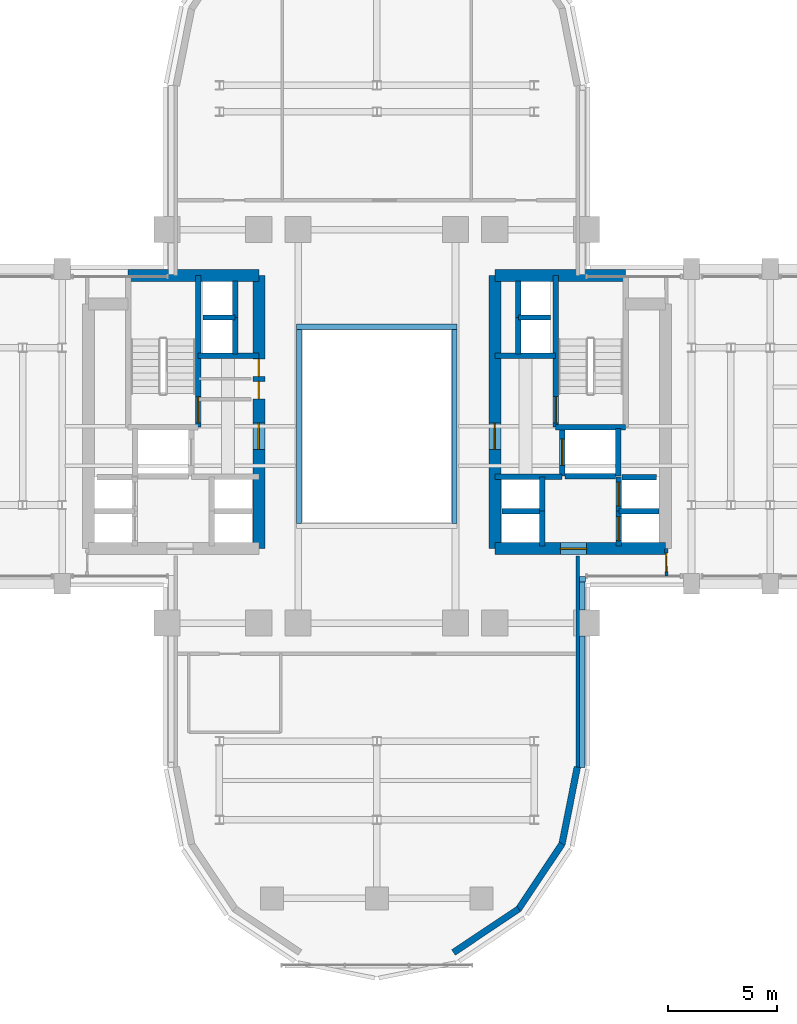
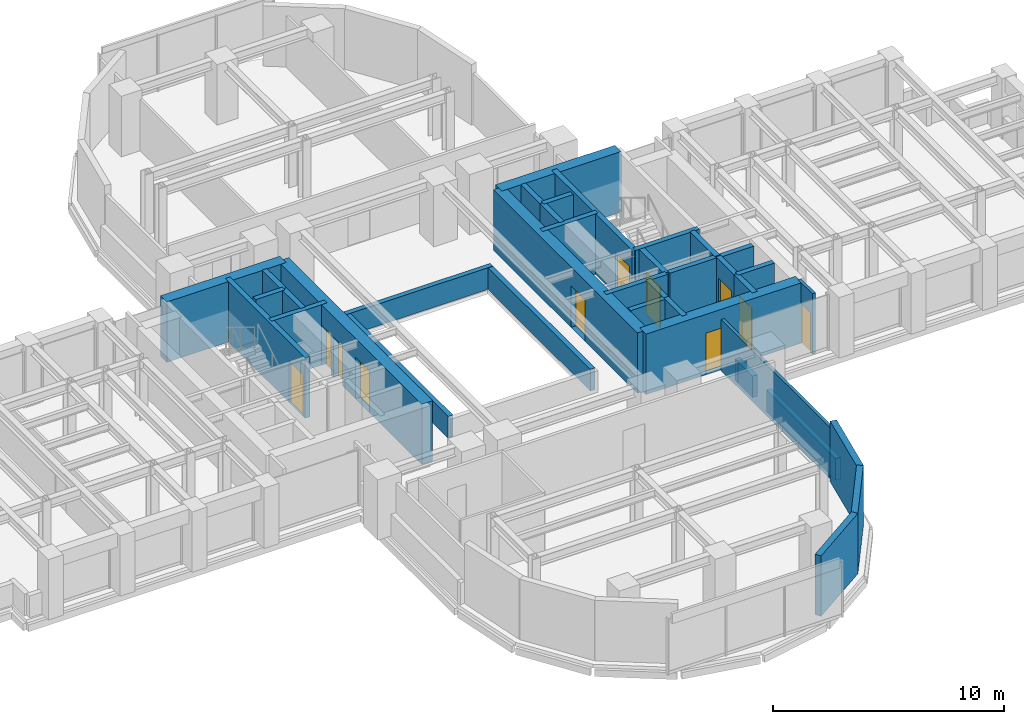
# One storey, part 11 of 15: 38 walls, 11 doors, 11 openings.
"""IFC4 building model written with IfcOpenShell, lengths in metres."""

from ifc_helpers import new_model, si_unit, direction, frame, frame_2d, origin, place, context, subcontext, project, spatial, rectangle, extrude, source, transform, mapped, material, layer, layer_set, type_object, element, fill, save


model = new_model("IFC4")

# Units and contexts
model_context = context("Model", 3, precision=1e-05, world=origin(), true_north=direction((0.0, 1.0)))
body_context = subcontext(model_context, "Body", "Model", "MODEL_VIEW")
ifc_project = project(units=[si_unit("LENGTHUNIT", "METRE"), si_unit("AREAUNIT", "SQUARE_METRE"), si_unit("VOLUMEUNIT", "CUBIC_METRE"), si_unit("PLANEANGLEUNIT", "RADIAN"), si_unit("MASSUNIT", "GRAM", prefix="KILO")], contexts=[model_context])

# Site, building, storey
site_placement = place(None, origin())
site = spatial("IfcSite", under=ifc_project, at=site_placement, CompositionType="ELEMENT")
building_placement = place(site_placement, origin())
building = spatial("IfcBuilding", under=site, at=building_placement, Name="Keilestroom Media Tower", CompositionType="ELEMENT")
storey_placement = place(building_placement, frame((0.0, 0.0, 47.60009765625)))
storey = spatial("IfcBuildingStorey", under=building, at=storey_placement, Name="L11", CompositionType="ELEMENT", Elevation=47.60009765625)

# Walls
ifc_material_1 = material(Name="Precast concrete C40/50", Category="concrete")
ifc_layer_1 = layer(ifc_material_1, 0.300048828125)
ifc_layer_set_1 = layer_set([ifc_layer_1], Name="Precast concrete C40/50")
wall_type_1 = type_object("IfcWallType", Name="Exterior-Masonry-Spandrel-Wall-300", PredefinedType="SOLIDWALL", material=ifc_layer_set_1)
wall_1_placement = place(storey_placement, frame((3.510009765625, -24.073486328125, 0.0), z_axis=(0.0, 0.0, 1.0), x_axis=(0.8314749531, 0.555562239868, 0.0)))
element("IfcWall", 1, at=wall_1_placement, inside=storey, type_object=wall_type_1, Name="L11 Lobe Facet Precast Frame Wall 10", PredefinedType="SOLIDWALL", context=body_context, shape_type="SweptSolid", body=[
    extrude(rectangle(XDim=3.59326171875, YDim=0.300048828125, at=frame_2d((1.796630859375, 0.0))), origin(), (0.0, 0.0, 1.0), 3.199951171875),
])
for number, where, z_axis, x_axis, name in (
    (2, (6.47705078125, -22.097900390625, 0.0), (0.0, 0.0, 1.0), (0.555574187116, 0.831466970246, 0.0), "L11 Lobe Facet Precast Frame Wall 11"),
    (3, (8.470703125, -19.12451171875, 0.0), (0.0, 0.0, 1.0), (0.195114232679, 0.980780523974, 0.0), "L11 Lobe Facet Precast Frame Wall 12"),
):
    element("IfcWall", number, at=place(storey_placement, frame(where, z_axis=z_axis, x_axis=x_axis)), inside=storey, type_object=wall_type_1, Name=name, PredefinedType="SOLIDWALL", context=body_context, shape_type="SweptSolid", body=[
        extrude(rectangle(XDim=3.608642578125, YDim=0.300048828125, at=frame_2d((1.80419921875, 0.0))), origin(), (0.0, 0.0, 1.0), 3.199951171875),
    ])
ifc_material_2 = material(Name="Gypsum Plasterboard & Steel Stud", Category="steel")
ifc_layer_2 = layer(ifc_material_2, 0.14990234375)
ifc_layer_set_2 = layer_set([ifc_layer_2], Name="Gypsum Plasterboard & Steel Stud")
wall_type_2 = type_object("IfcWallType", Name="Interior-Partition-Wall-150", PredefinedType="PARTITIONING", material=ifc_layer_set_2)
wall_2_placement = place(storey_placement, frame((9.199951171875, -15.679931640625, 0.0), z_axis=(0.0, 0.0, 1.0), x_axis=(0.0, 1.0, 0.0)))
element("IfcWall", 4, at=wall_2_placement, inside=storey, type_object=wall_type_2, Name="L11 Interior Wall WP-L11-SL-CHKE", PredefinedType="PARTITIONING", context=body_context, shape_type="SweptSolid", body=[
    extrude(rectangle(XDim=9.739990234375, YDim=0.14990234375, at=frame_2d((4.8701171875, 0.0))), origin(), (0.0, 0.0, 1.0), 2.7099609375),
])

# Wall, opening, door
wall_3_placement = place(storey_placement, frame((13.260009765625, -6.85009765625, 0.0), z_axis=(0.0, 0.0, 1.0), x_axis=(-0.016013571389, 0.999871774545, 0.0)))
wall_3 = element("IfcWall", 5, at=wall_3_placement, inside=storey, type_object=wall_type_2, Name="L11 Interior Wall WP-L11-EA-ENTS", PredefinedType="PARTITIONING", context=body_context, shape_type="SweptSolid", body=[
    extrude(rectangle(XDim=1.250244140625, YDim=0.14990234375, at=frame_2d((0.625, 0.0))), origin(), (0.0, 0.0, 1.0), 3.199951171875),
])
opening_1_placement = place(wall_3_placement, frame((0.199951171875, 0.0, 0.0)))
opening_1 = element("IfcOpeningElement", 6, at=opening_1_placement, cuts=wall_3, Name="Opening DI-05", PredefinedType="OPENING", context=body_context, shape_type="SweptSolid", body=[
    extrude(rectangle(XDim=0.85009765625, YDim=2.10009765625, at=frame_2d((0.425048828125, 1.050048828125))), frame((0.0, 0.0849609375, 0.0), z_axis=(0.0, -1.0, 0.0), x_axis=(1.0, 0.0, 0.0)), (0.0, 0.0, 1.0), 0.169921875),
])
ifc_material_3 = material(Name="Moisture-Resistant Oak Leaf", Category="wood")
door_type_1 = type_object("IfcDoorType", Name="Interior-En-Suite-And-Cupboard-Door-DI-05", OperationType="NOTDEFINED", PredefinedType="DOOR", material=ifc_material_3)
shared_shape_1 = source(origin(), body_context, "Body", "SweptSolid", [
    extrude(rectangle(XDim=0.85009765625, YDim=2.10009765625, at=frame_2d((0.425048828125, 1.050048828125))), frame((0.0, 0.02490234375, 0.0), z_axis=(0.0, -1.0, 0.0), x_axis=(1.0, 0.0, 0.0)), (0.0, 0.0, 1.0), 0.050048828125),
])
door_1_placement = place(opening_1_placement, origin())
door_1 = element("IfcDoor", 7, at=door_1_placement, inside=storey, type_object=door_type_1, Name="L11 Interior Door DI-L11-DEA-S", OperationType="SINGLE_SWING_RIGHT", OverallHeight=2.10009765625, OverallWidth=0.85009765625, PredefinedType="DOOR", context=body_context, shape_type="MappedRepresentation", body=[
    mapped(shared_shape_1, transform((0.0, 0.0, 0.0), x_axis=(1.0, 0.0, 0.0), y_axis=(0.0, 1.0, 0.0), z_axis=(0.0, 0.0, 1.0), scale=1.0)),
])
fill(opening_1, door_1)

# Wall, openings, doors
ifc_material_4 = material(Name="Concrete C70/85", Category="concrete")
ifc_layer_3 = layer(ifc_material_4, 0.550048828125)
ifc_layer_set_3 = layer_set([ifc_layer_3], Name="Concrete C70/85")
wall_type_3 = type_object("IfcWallType", Name="Reinforced-Concrete-Core-Shear-Wall-550", PredefinedType="SHEAR", material=ifc_layer_set_3)
wall_4_placement = place(storey_placement, frame((-5.39990234375, -5.60009765625, 0.0), z_axis=(0.0, 0.0, 1.0), x_axis=(0.0, 1.0, 0.0)))
wall_4 = element("IfcWall", 8, at=wall_4_placement, inside=storey, type_object=wall_type_3, Name="L11 Core Shear Wall WL-L11-CORE-W-IN", PredefinedType="SHEAR", context=body_context, shape_type="SweptSolid", body=[
    extrude(rectangle(XDim=12.5, YDim=0.550048828125, at=frame_2d((6.25, 0.0))), origin(), (0.0, 0.0, 1.0), 3.199951171875),
])
opening_2_placement = place(wall_4_placement, frame((4.550048828125, 0.0, 0.0)))
opening_2 = element("IfcOpeningElement", 9, at=opening_2_placement, cuts=wall_4, Name="Opening DI-02", PredefinedType="OPENING", context=body_context, shape_type="SweptSolid", body=[
    extrude(rectangle(XDim=1.199951171875, YDim=2.199951171875, at=frame_2d((0.60009765625, 1.10009765625))), frame((0.0, 0.28515625, 0.0), z_axis=(0.0, -1.0, 0.0), x_axis=(1.0, 0.0, 0.0)), (0.0, 0.0, 1.0), 0.570068359375),
])
opening_3_placement = place(wall_4_placement, frame((6.860107421875, 0.0, 0.0)))
opening_3 = element("IfcOpeningElement", 10, at=opening_3_placement, cuts=wall_4, Name="Opening DI-06", PredefinedType="OPENING", context=body_context, shape_type="SweptSolid", body=[
    extrude(rectangle(XDim=0.800048828125, YDim=2.10009765625, at=frame_2d((0.39990234375, 1.050048828125))), frame((0.0, 0.28515625, 0.0), z_axis=(0.0, -1.0, 0.0), x_axis=(1.0, 0.0, 0.0)), (0.0, 0.0, 1.0), 0.570068359375),
])
opening_4_placement = place(wall_4_placement, frame((7.8798828125, 0.0, 0.0)))
opening_4 = element("IfcOpeningElement", 11, at=opening_4_placement, cuts=wall_4, Name="Opening DI-06", PredefinedType="OPENING", context=body_context, shape_type="SweptSolid", body=[
    extrude(rectangle(XDim=0.800048828125, YDim=2.10009765625, at=frame_2d((0.39990234375, 1.050048828125))), frame((0.0, 0.28515625, 0.0), z_axis=(0.0, -1.0, 0.0), x_axis=(1.0, 0.0, 0.0)), (0.0, 0.0, 1.0), 0.570068359375),
])
ifc_material_5 = material(Name="Powder-Coated Steel Fire Leaf", Category="steel")
door_type_2 = type_object("IfcDoorType", Name="Interior-Compartment-Fire-Door-DI-02", OperationType="NOTDEFINED", PredefinedType="DOOR", material=ifc_material_5)
shared_shape_2 = source(origin(), body_context, "Body", "SweptSolid", [
    extrude(rectangle(XDim=1.199951171875, YDim=2.199951171875, at=frame_2d((0.60009765625, 1.10009765625))), frame((0.0, 0.02490234375, 0.0), z_axis=(0.0, -1.0, 0.0), x_axis=(1.0, 0.0, 0.0)), (0.0, 0.0, 1.0), 0.050048828125),
])
door_2_placement = place(opening_2_placement, origin())
door_2 = element("IfcDoor", 12, at=door_2_placement, inside=storey, type_object=door_type_2, Name="L11 W Firefighting Lobby Door", OperationType="SINGLE_SWING_RIGHT", OverallHeight=2.199951171875, OverallWidth=1.199951171875, PredefinedType="DOOR", context=body_context, shape_type="MappedRepresentation", body=[
    mapped(shared_shape_2, transform((0.0, 0.0, 0.0), x_axis=(1.0, 0.0, 0.0), y_axis=(0.0, 1.0, 0.0), z_axis=(0.0, 0.0, 1.0), scale=1.0)),
])
fill(opening_2, door_2)
ifc_material_6 = material(Name="Powder-Coated Steel Service Leaf", Category="steel")
door_type_3 = type_object("IfcDoorType", Name="Interior-Riser-Access-Door-DI-06", OperationType="NOTDEFINED", PredefinedType="DOOR", material=ifc_material_6)
shared_shape_3 = source(origin(), body_context, "Body", "SweptSolid", [
    extrude(rectangle(XDim=0.800048828125, YDim=2.10009765625, at=frame_2d((0.39990234375, 1.050048828125))), frame((0.0, 0.02490234375, 0.0), z_axis=(0.0, -1.0, 0.0), x_axis=(1.0, 0.0, 0.0)), (0.0, 0.0, 1.0), 0.050048828125),
])
door_3_placement = place(opening_3_placement, origin())
door_3 = element("IfcDoor", 13, at=door_3_placement, inside=storey, type_object=door_type_3, Name="L11 West Core Switchroom Door", OperationType="SINGLE_SWING_LEFT", OverallHeight=2.10009765625, OverallWidth=0.800048828125, PredefinedType="DOOR", context=body_context, shape_type="MappedRepresentation", body=[
    mapped(shared_shape_3, transform((0.0, 0.0, 0.0), x_axis=(1.0, 0.0, 0.0), y_axis=(0.0, 1.0, 0.0), z_axis=(0.0, 0.0, 1.0), scale=1.0)),
])
fill(opening_3, door_3)
door_4_placement = place(opening_4_placement, origin())
door_4 = element("IfcDoor", 14, at=door_4_placement, inside=storey, type_object=door_type_3, Name="L11 West Core Closet Door", OperationType="SINGLE_SWING_LEFT", OverallHeight=2.10009765625, OverallWidth=0.800048828125, PredefinedType="DOOR", context=body_context, shape_type="MappedRepresentation", body=[
    mapped(shared_shape_3, transform((0.0, 0.0, 0.0), x_axis=(1.0, 0.0, 0.0), y_axis=(0.0, 1.0, 0.0), z_axis=(0.0, 0.0, 1.0), scale=1.0)),
])
fill(opening_4, door_4)

# Wall
wall_5_placement = place(storey_placement, frame((-11.381103515625, 6.89990234375, 0.0), z_axis=(0.0, 0.0, 1.0), x_axis=(1.0, 0.0, 0.0)))
element("IfcWall", 15, at=wall_5_placement, inside=storey, type_object=wall_type_3, Name="L11 Core Shear Wall WL-L11-CORE-W-N", PredefinedType="SHEAR", context=body_context, shape_type="SweptSolid", body=[
    extrude(rectangle(XDim=5.981201171875, YDim=0.550048828125, at=frame_2d((2.99072265625, 0.0))), origin(), (0.0, 0.0, 1.0), 3.199951171875),
])

# Wall, opening, door
wall_6_placement = place(storey_placement, frame((5.39990234375, -5.60009765625, 0.0), z_axis=(0.0, 0.0, 1.0), x_axis=(0.0, 1.0, 0.0)))
wall_6 = element("IfcWall", 16, at=wall_6_placement, inside=storey, type_object=wall_type_3, Name="L11 Core Shear Wall WL-L11-CORE-E-IN", PredefinedType="SHEAR", context=body_context, shape_type="SweptSolid", body=[
    extrude(rectangle(XDim=12.5, YDim=0.550048828125, at=frame_2d((6.25, 0.0))), origin(), (0.0, 0.0, 1.0), 3.199951171875),
])
opening_5_placement = place(wall_6_placement, frame((4.550048828125, 0.0, 0.0)))
opening_5 = element("IfcOpeningElement", 17, at=opening_5_placement, cuts=wall_6, Name="Opening DI-02", PredefinedType="OPENING", context=body_context, shape_type="SweptSolid", body=[
    extrude(rectangle(XDim=1.199951171875, YDim=2.199951171875, at=frame_2d((0.60009765625, 1.10009765625))), frame((0.0, 0.28515625, 0.0), z_axis=(0.0, -1.0, 0.0), x_axis=(1.0, 0.0, 0.0)), (0.0, 0.0, 1.0), 0.570068359375),
])
door_5_placement = place(opening_5_placement, origin())
door_5 = element("IfcDoor", 18, at=door_5_placement, inside=storey, type_object=door_type_2, Name="L11 E Firefighting Lobby Door", OperationType="SINGLE_SWING_LEFT", OverallHeight=2.199951171875, OverallWidth=1.199951171875, PredefinedType="DOOR", context=body_context, shape_type="MappedRepresentation", body=[
    mapped(shared_shape_2, transform((0.0, 0.0, 0.0), x_axis=(1.0, 0.0, 0.0), y_axis=(0.0, 1.0, 0.0), z_axis=(0.0, 0.0, 1.0), scale=1.0)),
])
fill(opening_5, door_5)

# Wall
wall_7_placement = place(storey_placement, frame((5.39990234375, 6.89990234375, 0.0), z_axis=(0.0, 0.0, 1.0), x_axis=(1.0, 0.0, 0.0)))
element("IfcWall", 19, at=wall_7_placement, inside=storey, type_object=wall_type_3, Name="L11 Core Shear Wall WL-L11-CORE-E-N", PredefinedType="SHEAR", context=body_context, shape_type="SweptSolid", body=[
    extrude(rectangle(XDim=5.981201171875, YDim=0.550048828125, at=frame_2d((2.99072265625, 0.0))), origin(), (0.0, 0.0, 1.0), 3.199951171875),
])

# Wall, opening, door
wall_8_placement = place(storey_placement, frame((5.39990234375, -5.60009765625, 0.0), z_axis=(0.0, 0.0, 1.0), x_axis=(1.0, 0.0, 0.0)))
wall_8 = element("IfcWall", 20, at=wall_8_placement, inside=storey, type_object=wall_type_3, Name="L11 Core Shear Wall WL-L11-CORE-E-S", PredefinedType="SHEAR", context=body_context, shape_type="SweptSolid", body=[
    extrude(rectangle(XDim=7.800048828125, YDim=0.550048828125, at=frame_2d((3.89990234375, 0.0))), origin(), (0.0, 0.0, 1.0), 3.199951171875),
])
opening_6_placement = place(wall_8_placement, frame((3.0, 0.0, 0.0)))
opening_6 = element("IfcOpeningElement", 21, at=opening_6_placement, cuts=wall_8, Name="Opening DI-02", PredefinedType="OPENING", context=body_context, shape_type="SweptSolid", body=[
    extrude(rectangle(XDim=1.199951171875, YDim=2.199951171875, at=frame_2d((0.60009765625, 1.10009765625))), frame((0.0, 0.28515625, 0.0), z_axis=(0.0, -1.0, 0.0), x_axis=(1.0, 0.0, 0.0)), (0.0, 0.0, 1.0), 0.570068359375),
])
door_6_placement = place(opening_6_placement, origin())
door_6 = element("IfcDoor", 22, at=door_6_placement, inside=storey, type_object=door_type_2, Name="L11 E Passenger Lift Lobby Door", OperationType="SINGLE_SWING_RIGHT", OverallHeight=2.199951171875, OverallWidth=1.199951171875, PredefinedType="DOOR", context=body_context, shape_type="MappedRepresentation", body=[
    mapped(shared_shape_2, transform((0.0, 0.0, 0.0), x_axis=(1.0, 0.0, 0.0), y_axis=(0.0, 1.0, 0.0), z_axis=(0.0, 0.0, 1.0), scale=1.0)),
])
fill(opening_6, door_6)

# Wall
ifc_material_7 = material(Name="Concrete C50/60", Category="concrete")
ifc_layer_4 = layer(ifc_material_7, 0.25)
ifc_layer_set_4 = layer_set([ifc_layer_4], Name="Concrete C50/60")
wall_type_4 = type_object("IfcWallType", Name="Reinforced-Concrete-Shaft-Wall-250", PredefinedType="SOLIDWALL", material=ifc_layer_set_4)
wall_9_placement = place(storey_placement, frame((-8.179931640625, 3.219970703125, 0.0), z_axis=(0.0, 0.0, 1.0), x_axis=(1.0, 0.0, 0.0)))
element("IfcWall", 23, at=wall_9_placement, inside=storey, type_object=wall_type_4, Name="L11 Core Shear Wall WL-L11-CORE-W-FFN", PredefinedType="SOLIDWALL", context=body_context, shape_type="SweptSolid", body=[
    extrude(rectangle(XDim=2.780029296875, YDim=0.25, at=frame_2d((1.39013671875, 0.0))), origin(), (0.0, 0.0, 1.0), 3.199951171875),
])

# Wall, opening, door
wall_10_placement = place(storey_placement, frame((-8.178955078125, -0.041015625, 0.0), z_axis=(0.0, 0.0, 1.0), x_axis=(0.0, 1.0, 0.0)))
wall_10 = element("IfcWall", 24, at=wall_10_placement, inside=storey, type_object=wall_type_4, Name="L11 Core Shear Wall WL-L11-STW-W-NEAR", PredefinedType="SOLIDWALL", context=body_context, shape_type="SweptSolid", body=[
    extrude(rectangle(XDim=6.94091796875, YDim=0.25, at=frame_2d((3.470458984375, 0.0))), origin(), (0.0, 0.0, 1.0), 3.199951171875),
])
opening_7_placement = place(wall_10_placement, frame((0.199951171875, 0.0, 0.0)))
opening_7 = element("IfcOpeningElement", 25, at=opening_7_placement, cuts=wall_10, Name="Opening DI-01S", PredefinedType="OPENING", context=body_context, shape_type="SweptSolid", body=[
    extrude(rectangle(XDim=1.199951171875, YDim=2.199951171875, at=frame_2d((0.60009765625, 1.10009765625))), frame((0.0, 0.135009765625, 0.0), z_axis=(0.0, -1.0, 0.0), x_axis=(1.0, 0.0, 0.0)), (0.0, 0.0, 1.0), 0.27001953125),
])
door_type_4 = type_object("IfcDoorType", Name="Interior-Stair-And-Core-Fire-Door-DI-01", OperationType="NOTDEFINED", PredefinedType="DOOR", material=ifc_material_5)
door_7_placement = place(opening_7_placement, origin())
door_7 = element("IfcDoor", 26, at=door_7_placement, inside=storey, type_object=door_type_4, Name="L11 Escape Stair ST-1 Fire Door", OperationType="SINGLE_SWING_LEFT", OverallHeight=2.199951171875, OverallWidth=1.199951171875, PredefinedType="DOOR", context=body_context, shape_type="MappedRepresentation", body=[
    mapped(shared_shape_2, transform((0.0, 0.0, 0.0), x_axis=(1.0, 0.0, 0.0), y_axis=(0.0, 1.0, 0.0), z_axis=(0.0, 0.0, 1.0), scale=1.0)),
])
fill(opening_7, door_7)

# Walls
wall_11_placement = place(storey_placement, frame((5.39990234375, 3.219970703125, 0.0), z_axis=(0.0, 0.0, 1.0), x_axis=(1.0, 0.0, 0.0)))
element("IfcWall", 27, at=wall_11_placement, inside=storey, type_object=wall_type_4, Name="L11 Core Shear Wall WL-L11-CORE-E-FFN", PredefinedType="SOLIDWALL", context=body_context, shape_type="SweptSolid", body=[
    extrude(rectangle(XDim=2.780029296875, YDim=0.25, at=frame_2d((1.39013671875, 0.0))), origin(), (0.0, 0.0, 1.0), 3.199951171875),
])
wall_12_placement = place(storey_placement, frame((5.39990234375, -2.300048828125, 0.0), z_axis=(0.0, 0.0, 1.0), x_axis=(1.0, 0.0, 0.0)))
element("IfcWall", 28, at=wall_12_placement, inside=storey, type_object=wall_type_4, Name="L11 Core Shear Wall WL-L11-CORE-E-FFS", PredefinedType="SOLIDWALL", context=body_context, shape_type="SweptSolid", body=[
    extrude(rectangle(XDim=3.080078125, YDim=0.25, at=frame_2d((1.5400390625, 0.0))), origin(), (0.0, 0.0, 1.0), 3.199951171875),
])

# Wall, opening, door
wall_13_placement = place(storey_placement, frame((8.178955078125, -0.041015625, 0.0), z_axis=(0.0, 0.0, 1.0), x_axis=(0.0, 1.0, 0.0)))
wall_13 = element("IfcWall", 29, at=wall_13_placement, inside=storey, type_object=wall_type_4, Name="L11 Core Shear Wall WL-L11-STW-E-NEAR", PredefinedType="SOLIDWALL", context=body_context, shape_type="SweptSolid", body=[
    extrude(rectangle(XDim=6.94091796875, YDim=0.25, at=frame_2d((3.470458984375, 0.0))), origin(), (0.0, 0.0, 1.0), 3.199951171875),
])
opening_8_placement = place(wall_13_placement, frame((0.199951171875, 0.0, 0.0)))
opening_8 = element("IfcOpeningElement", 30, at=opening_8_placement, cuts=wall_13, Name="Opening DI-01S", PredefinedType="OPENING", context=body_context, shape_type="SweptSolid", body=[
    extrude(rectangle(XDim=1.199951171875, YDim=2.199951171875, at=frame_2d((0.60009765625, 1.10009765625))), frame((0.0, 0.135009765625, 0.0), z_axis=(0.0, -1.0, 0.0), x_axis=(1.0, 0.0, 0.0)), (0.0, 0.0, 1.0), 0.27001953125),
])
door_8_placement = place(opening_8_placement, origin())
door_8 = element("IfcDoor", 31, at=door_8_placement, inside=storey, type_object=door_type_4, Name="L11 Escape Stair ST-2 Fire Door", OperationType="SINGLE_SWING_RIGHT", OverallHeight=2.199951171875, OverallWidth=1.199951171875, PredefinedType="DOOR", context=body_context, shape_type="MappedRepresentation", body=[
    mapped(shared_shape_2, transform((0.0, 0.0, 0.0), x_axis=(1.0, 0.0, 0.0), y_axis=(0.0, 1.0, 0.0), z_axis=(0.0, 0.0, 1.0), scale=1.0)),
])
fill(opening_8, door_8)

# Wall
wall_14_placement = place(storey_placement, frame((8.178955078125, -0.041015625, 0.0), z_axis=(0.0, 0.0, 1.0), x_axis=(1.0, 0.0, 0.0)))
element("IfcWall", 32, at=wall_14_placement, inside=storey, type_object=wall_type_4, Name="L11 Core Shear Wall WL-L11-STW-E-S", PredefinedType="SOLIDWALL", context=body_context, shape_type="SweptSolid", body=[
    extrude(rectangle(XDim=3.2021484375, YDim=0.25, at=frame_2d((1.60107421875, 0.0))), origin(), (0.0, 0.0, 1.0), 3.199951171875),
])

# Wall, opening, door
wall_15_placement = place(storey_placement, frame((8.47998046875, -2.280029296875, 0.0), z_axis=(0.0, 0.0, 1.0), x_axis=(0.0, 1.0, 0.0)))
wall_15 = element("IfcWall", 33, at=wall_15_placement, inside=storey, type_object=wall_type_4, Name="L11 Core Shear Wall WL-L11-LSH-FFL-2-W", PredefinedType="SOLIDWALL", context=body_context, shape_type="SweptSolid", body=[
    extrude(rectangle(XDim=2.179931640625, YDim=0.25, at=frame_2d((1.08984375, 0.0))), origin(), (0.0, 0.0, 1.0), 3.199951171875),
])
opening_9_placement = place(wall_15_placement, frame((0.489990234375, 0.0, 0.0)))
opening_9 = element("IfcOpeningElement", 34, at=opening_9_placement, cuts=wall_15, Name="Opening LD-02", PredefinedType="OPENING", context=body_context, shape_type="SweptSolid", body=[
    extrude(rectangle(XDim=1.199951171875, YDim=2.199951171875, at=frame_2d((0.60009765625, 1.10009765625))), frame((0.0, 0.135009765625, 0.0), z_axis=(0.0, -1.0, 0.0), x_axis=(1.0, 0.0, 0.0)), (0.0, 0.0, 1.0), 0.27001953125),
])
ifc_material_8 = material(Name="Brushed Stainless Steel Sliding Leaf", Category="steel")
door_type_5 = type_object("IfcDoorType", Name="Lift-Landing-Sliding-Door-LD-02", OperationType="SLIDING_TO_RIGHT", PredefinedType="DOOR", material=ifc_material_8)
door_9_placement = place(opening_9_placement, origin())
door_9 = element("IfcDoor", 35, at=door_9_placement, inside=storey, type_object=door_type_5, Name="L11 Lift FFL-2 Landing Sliding Door", OperationType="SLIDING_TO_RIGHT", OverallHeight=2.199951171875, OverallWidth=1.199951171875, PredefinedType="DOOR", context=body_context, shape_type="MappedRepresentation", body=[
    mapped(shared_shape_2, transform((0.0, 0.0, 0.0), x_axis=(1.0, 0.0, 0.0), y_axis=(0.0, 1.0, 0.0), z_axis=(0.0, 0.0, 1.0), scale=1.0)),
])
fill(opening_9, door_9)

# Walls
wall_16_placement = place(storey_placement, frame((11.050048828125, -2.280029296875, 0.0), z_axis=(0.0, 0.0, 1.0), x_axis=(0.0, 1.0, 0.0)))
element("IfcWall", 36, at=wall_16_placement, inside=storey, type_object=wall_type_4, Name="L11 Core Shear Wall WL-L11-LSH-FFL-2-E", PredefinedType="SOLIDWALL", context=body_context, shape_type="SweptSolid", body=[
    extrude(rectangle(XDim=2.179931640625, YDim=0.25, at=frame_2d((1.08984375, 0.0))), origin(), (0.0, 0.0, 1.0), 3.199951171875),
])
wall_17_placement = place(storey_placement, frame((8.60888671875, -2.280029296875, 0.0), z_axis=(0.0, 0.0, 1.0), x_axis=(1.0, 0.0, 0.0)))
element("IfcWall", 37, at=wall_17_placement, inside=storey, type_object=wall_type_4, Name="L11 Core Shear Wall WL-L11-LSH-FFL-2-S", PredefinedType="SOLIDWALL", context=body_context, shape_type="SweptSolid", body=[
    extrude(rectangle(XDim=2.31201171875, YDim=0.25, at=frame_2d((1.156005859375, 0.0))), origin(), (0.0, 0.0, 1.0), 3.199951171875),
])

# Wall, opening, door
wall_18_placement = place(storey_placement, frame((11.080078125, -5.47998046875, 0.0), z_axis=(0.0, 0.0, 1.0), x_axis=(0.0, 1.0, 0.0)))
wall_18 = element("IfcWall", 38, at=wall_18_placement, inside=storey, type_object=wall_type_4, Name="L11 Core Shear Wall WL-L11-LSH-PL-L3-W", PredefinedType="SOLIDWALL", context=body_context, shape_type="SweptSolid", body=[
    extrude(rectangle(XDim=1.60009765625, YDim=0.25, at=frame_2d((0.800048828125, 0.0))), origin(), (0.0, 0.0, 1.0), 3.199951171875),
])
opening_10_placement = place(wall_18_placement, frame((0.25, 0.0, 0.0)))
opening_10 = element("IfcOpeningElement", 39, at=opening_10_placement, cuts=wall_18, Name="Opening LD-01", PredefinedType="OPENING", context=body_context, shape_type="SweptSolid", body=[
    extrude(rectangle(XDim=1.10009765625, YDim=2.199951171875, at=frame_2d((0.550048828125, 1.10009765625))), frame((0.0, 0.135009765625, 0.0), z_axis=(0.0, -1.0, 0.0), x_axis=(1.0, 0.0, 0.0)), (0.0, 0.0, 1.0), 0.27001953125),
])
door_type_6 = type_object("IfcDoorType", Name="Lift-Landing-Sliding-Door-LD-01", OperationType="SLIDING_TO_LEFT", PredefinedType="DOOR", material=ifc_material_8)
shared_shape_4 = source(origin(), body_context, "Body", "SweptSolid", [
    extrude(rectangle(XDim=1.10009765625, YDim=2.199951171875, at=frame_2d((0.550048828125, 1.10009765625))), frame((0.0, 0.02490234375, 0.0), z_axis=(0.0, -1.0, 0.0), x_axis=(1.0, 0.0, 0.0)), (0.0, 0.0, 1.0), 0.050048828125),
])
door_10_placement = place(opening_10_placement, origin())
door_10 = element("IfcDoor", 40, at=door_10_placement, inside=storey, type_object=door_type_6, Name="L11 Lift PL-L3 Landing Sliding Door", OperationType="SLIDING_TO_LEFT", OverallHeight=2.199951171875, OverallWidth=1.10009765625, PredefinedType="DOOR", context=body_context, shape_type="MappedRepresentation", body=[
    mapped(shared_shape_4, transform((0.0, 0.0, 0.0), x_axis=(1.0, 0.0, 0.0), y_axis=(0.0, 1.0, 0.0), z_axis=(0.0, 0.0, 1.0), scale=1.0)),
])
fill(opening_10, door_10)

# Wall
wall_19_placement = place(storey_placement, frame((11.080078125, -3.8798828125, 0.0), z_axis=(0.0, 0.0, 1.0), x_axis=(1.0, 0.0, 0.0)))
element("IfcWall", 41, at=wall_19_placement, inside=storey, type_object=wall_type_4, Name="L11 Core Shear Wall WL-L11-LSH-PL-L3-N", PredefinedType="SOLIDWALL", context=body_context, shape_type="SweptSolid", body=[
    extrude(rectangle(XDim=1.83984375, YDim=0.25, at=frame_2d((0.919921875, 0.0))), origin(), (0.0, 0.0, 1.0), 3.199951171875),
])

# Wall, opening, door
wall_20_placement = place(storey_placement, frame((11.080078125, -3.8798828125, 0.0), z_axis=(0.0, 0.0, 1.0), x_axis=(0.0, 1.0, 0.0)))
wall_20 = element("IfcWall", 42, at=wall_20_placement, inside=storey, type_object=wall_type_4, Name="L11 Core Shear Wall WL-L11-LSH-PL-L4-W", PredefinedType="SOLIDWALL", context=body_context, shape_type="SweptSolid", body=[
    extrude(rectangle(XDim=1.559814453125, YDim=0.25, at=frame_2d((0.77978515625, 0.0))), origin(), (0.0, 0.0, 1.0), 3.199951171875),
])
opening_11_placement = place(wall_20_placement, frame((0.22998046875, 0.0, 0.0)))
opening_11 = element("IfcOpeningElement", 43, at=opening_11_placement, cuts=wall_20, Name="Opening LD-01", PredefinedType="OPENING", context=body_context, shape_type="SweptSolid", body=[
    extrude(rectangle(XDim=1.10009765625, YDim=2.199951171875, at=frame_2d((0.550048828125, 1.10009765625))), frame((0.0, 0.135009765625, 0.0), z_axis=(0.0, -1.0, 0.0), x_axis=(1.0, 0.0, 0.0)), (0.0, 0.0, 1.0), 0.27001953125),
])
door_11_placement = place(opening_11_placement, origin())
door_11 = element("IfcDoor", 44, at=door_11_placement, inside=storey, type_object=door_type_6, Name="L11 Lift PL-L4 Landing Sliding Door", OperationType="SLIDING_TO_LEFT", OverallHeight=2.199951171875, OverallWidth=1.10009765625, PredefinedType="DOOR", context=body_context, shape_type="MappedRepresentation", body=[
    mapped(shared_shape_4, transform((0.0, 0.0, 0.0), x_axis=(1.0, 0.0, 0.0), y_axis=(0.0, 1.0, 0.0), z_axis=(0.0, 0.0, 1.0), scale=1.0)),
])
fill(opening_11, door_11)

# Walls
wall_21_placement = place(storey_placement, frame((11.208984375, -2.320068359375, 0.0), z_axis=(0.0, 0.0, 1.0), x_axis=(1.0, 0.0, 0.0)))
element("IfcWall", 45, at=wall_21_placement, inside=storey, type_object=wall_type_4, Name="L11 Core Shear Wall WL-L11-LSH-PL-L4-N", PredefinedType="SOLIDWALL", context=body_context, shape_type="SweptSolid", body=[
    extrude(rectangle(XDim=1.58203125, YDim=0.25, at=frame_2d((0.791015625, 0.0))), origin(), (0.0, 0.0, 1.0), 3.199951171875),
])
wall_22_placement = place(storey_placement, frame((7.56005859375, -5.47998046875, 0.0), z_axis=(0.0, 0.0, 1.0), x_axis=(0.0, 1.0, 0.0)))
element("IfcWall", 46, at=wall_22_placement, inside=storey, type_object=wall_type_4, Name="L11 Core Shear Wall WL-L11-LSH-PL-M3-E", PredefinedType="SOLIDWALL", context=body_context, shape_type="SweptSolid", body=[
    extrude(rectangle(XDim=1.60009765625, YDim=0.25, at=frame_2d((0.800048828125, 0.0))), origin(), (0.0, 0.0, 1.0), 3.199951171875),
])
wall_23_placement = place(storey_placement, frame((5.719970703125, -3.8798828125, 0.0), z_axis=(0.0, 0.0, 1.0), x_axis=(1.0, 0.0, 0.0)))
element("IfcWall", 47, at=wall_23_placement, inside=storey, type_object=wall_type_4, Name="L11 Core Shear Wall WL-L11-LSH-PL-M3-N", PredefinedType="SOLIDWALL", context=body_context, shape_type="SweptSolid", body=[
    extrude(rectangle(XDim=1.840087890625, YDim=0.25, at=frame_2d((0.919921875, 0.0))), origin(), (0.0, 0.0, 1.0), 3.199951171875),
])
wall_24_placement = place(storey_placement, frame((7.56005859375, -3.8798828125, 0.0), z_axis=(0.0, 0.0, 1.0), x_axis=(0.0, 1.0, 0.0)))
element("IfcWall", 48, at=wall_24_placement, inside=storey, type_object=wall_type_4, Name="L11 Core Shear Wall WL-L11-LSH-PL-M4-E", PredefinedType="SOLIDWALL", context=body_context, shape_type="SweptSolid", body=[
    extrude(rectangle(XDim=1.559814453125, YDim=0.25, at=frame_2d((0.77978515625, 0.0))), origin(), (0.0, 0.0, 1.0), 3.199951171875),
])
wall_25_placement = place(storey_placement, frame((-6.47998046875, 3.300048828125, 0.0), z_axis=(0.0, 0.0, 1.0), x_axis=(0.0, 1.0, 0.0)))
element("IfcWall", 49, at=wall_25_placement, inside=storey, type_object=wall_type_4, Name="L11 Core Shear Wall WL-L11-LSH-PL-H1-E", PredefinedType="SOLIDWALL", context=body_context, shape_type="SweptSolid", body=[
    extrude(rectangle(XDim=1.679931640625, YDim=0.25, at=frame_2d((0.83984375, 0.0))), origin(), (0.0, 0.0, 1.0), 3.199951171875),
])
wall_26_placement = place(storey_placement, frame((-7.949951171875, 4.97998046875, 0.0), z_axis=(0.0, 0.0, 1.0), x_axis=(1.0, 0.0, 0.0)))
element("IfcWall", 50, at=wall_26_placement, inside=storey, type_object=wall_type_4, Name="L11 Core Shear Wall WL-L11-LSH-PL-H1-N", PredefinedType="SOLIDWALL", context=body_context, shape_type="SweptSolid", body=[
    extrude(rectangle(XDim=1.469970703125, YDim=0.25, at=frame_2d((0.73486328125, 0.0))), origin(), (0.0, 0.0, 1.0), 3.199951171875),
])
wall_27_placement = place(storey_placement, frame((-6.47998046875, 4.97998046875, 0.0), z_axis=(0.0, 0.0, 1.0), x_axis=(0.0, 1.0, 0.0)))
element("IfcWall", 51, at=wall_27_placement, inside=storey, type_object=wall_type_4, Name="L11 Core Shear Wall WL-L11-LSH-PL-H2-E", PredefinedType="SOLIDWALL", context=body_context, shape_type="SweptSolid", body=[
    extrude(rectangle(XDim=1.669921875, YDim=0.25, at=frame_2d((0.8349609375, 0.0))), origin(), (0.0, 0.0, 1.0), 3.199951171875),
])
wall_28_placement = place(storey_placement, frame((6.47998046875, 3.300048828125, 0.0), z_axis=(0.0, 0.0, 1.0), x_axis=(0.0, 1.0, 0.0)))
element("IfcWall", 52, at=wall_28_placement, inside=storey, type_object=wall_type_4, Name="L11 Core Shear Wall WL-L11-LSH-PL-H3-W", PredefinedType="SOLIDWALL", context=body_context, shape_type="SweptSolid", body=[
    extrude(rectangle(XDim=1.679931640625, YDim=0.25, at=frame_2d((0.83984375, 0.0))), origin(), (0.0, 0.0, 1.0), 3.199951171875),
])
wall_29_placement = place(storey_placement, frame((6.47998046875, 4.97998046875, 0.0), z_axis=(0.0, 0.0, 1.0), x_axis=(1.0, 0.0, 0.0)))
element("IfcWall", 53, at=wall_29_placement, inside=storey, type_object=wall_type_4, Name="L11 Core Shear Wall WL-L11-LSH-PL-H3-N", PredefinedType="SOLIDWALL", context=body_context, shape_type="SweptSolid", body=[
    extrude(rectangle(XDim=1.469970703125, YDim=0.25, at=frame_2d((0.73486328125, 0.0))), origin(), (0.0, 0.0, 1.0), 3.199951171875),
])
wall_30_placement = place(storey_placement, frame((6.47998046875, 4.97998046875, 0.0), z_axis=(0.0, 0.0, 1.0), x_axis=(0.0, 1.0, 0.0)))
element("IfcWall", 54, at=wall_30_placement, inside=storey, type_object=wall_type_4, Name="L11 Core Shear Wall WL-L11-LSH-PL-H4-W", PredefinedType="SOLIDWALL", context=body_context, shape_type="SweptSolid", body=[
    extrude(rectangle(XDim=1.669921875, YDim=0.25, at=frame_2d((0.8349609375, 0.0))), origin(), (0.0, 0.0, 1.0), 3.199951171875),
])
ifc_layer_5 = layer(ifc_material_1, 0.239990234375)
ifc_layer_set_5 = layer_set([ifc_layer_5], Name="Precast concrete C40/50")
wall_type_5 = type_object("IfcWallType", Name="Roof-And-Terrace-Parapet-Wall-240", PredefinedType="PARAPET", material=ifc_layer_set_5)
wall_31_placement = place(storey_placement, frame((9.547119140625, -7.0, 0.0), z_axis=(0.0, 0.0, 1.0), x_axis=(-1.0, 0.0, 0.0)))
element("IfcWall", 55, at=wall_31_placement, inside=storey, type_object=wall_type_5, Name="L11 Perimeter Edge Parapet Wall 06", PredefinedType="PARAPET", context=body_context, shape_type="SweptSolid", body=[
    extrude(rectangle(XDim=0.26904296875, YDim=0.239990234375, at=frame_2d((0.134521484375, 0.0))), origin(), (0.0, 0.0, 1.0), 1.14990234375),
])
wall_32_placement = place(storey_placement, frame((9.39990234375, -7.123046875, 0.0), z_axis=(0.0, 0.0, 1.0), x_axis=(0.0, -1.0, 0.0)))
element("IfcWall", 56, at=wall_32_placement, inside=storey, type_object=wall_type_5, Name="L11 Perimeter Edge Parapet Wall 07", PredefinedType="PARAPET", context=body_context, shape_type="SweptSolid", body=[
    extrude(rectangle(XDim=1.27392578125, YDim=0.239990234375, at=frame_2d((0.636962890625, 0.0))), origin(), (0.0, 0.0, 1.0), 1.14990234375),
])
wall_33_placement = place(storey_placement, frame((9.39990234375, -9.60302734375, 0.0), z_axis=(0.0, 0.0, 1.0), x_axis=(0.0, -1.0, 0.0)))
element("IfcWall", 57, at=wall_33_placement, inside=storey, type_object=wall_type_5, Name="L11 Perimeter Edge Parapet Wall 08", PredefinedType="PARAPET", context=body_context, shape_type="SweptSolid", body=[
    extrude(rectangle(XDim=5.999755859375, YDim=0.239990234375, at=frame_2d((3.0, 0.0))), origin(), (0.0, 0.0, 1.0), 1.14990234375),
])
wall_34_placement = place(storey_placement, frame((-3.679931640625, 4.56005859375, 0.0), z_axis=(0.0, 0.0, 1.0), x_axis=(1.0, 0.0, 0.0)))
element("IfcWall", 58, at=wall_34_placement, inside=storey, type_object=wall_type_5, Name="L11 Central Atrium Guard Parapet N", PredefinedType="PARAPET", context=body_context, shape_type="SweptSolid", body=[
    extrude(rectangle(XDim=7.35986328125, YDim=0.239990234375, at=frame_2d((3.679931640625, 0.0))), origin(), (0.0, 0.0, 1.0), 1.14990234375),
])
for number, where, z_axis, x_axis, name in (
    (59, (-3.56005859375, -4.43505859375, 0.0), (0.0, 0.0, 1.0), (0.0, 1.0, 0.0), "L11 Central Atrium Guard Parapet W"),
    (60, (3.56005859375, -4.43505859375, 0.0), (0.0, 0.0, 1.0), (0.0, 1.0, 0.0), "L11 Central Atrium Guard Parapet E"),
):
    element("IfcWall", number, at=place(storey_placement, frame(where, z_axis=z_axis, x_axis=x_axis)), inside=storey, type_object=wall_type_5, Name=name, PredefinedType="PARAPET", context=body_context, shape_type="SweptSolid", body=[
        extrude(rectangle(XDim=8.8701171875, YDim=0.239990234375, at=frame_2d((4.43505859375, 0.0))), origin(), (0.0, 0.0, 1.0), 1.14990234375),
    ])

save(model, "model.ifc")
